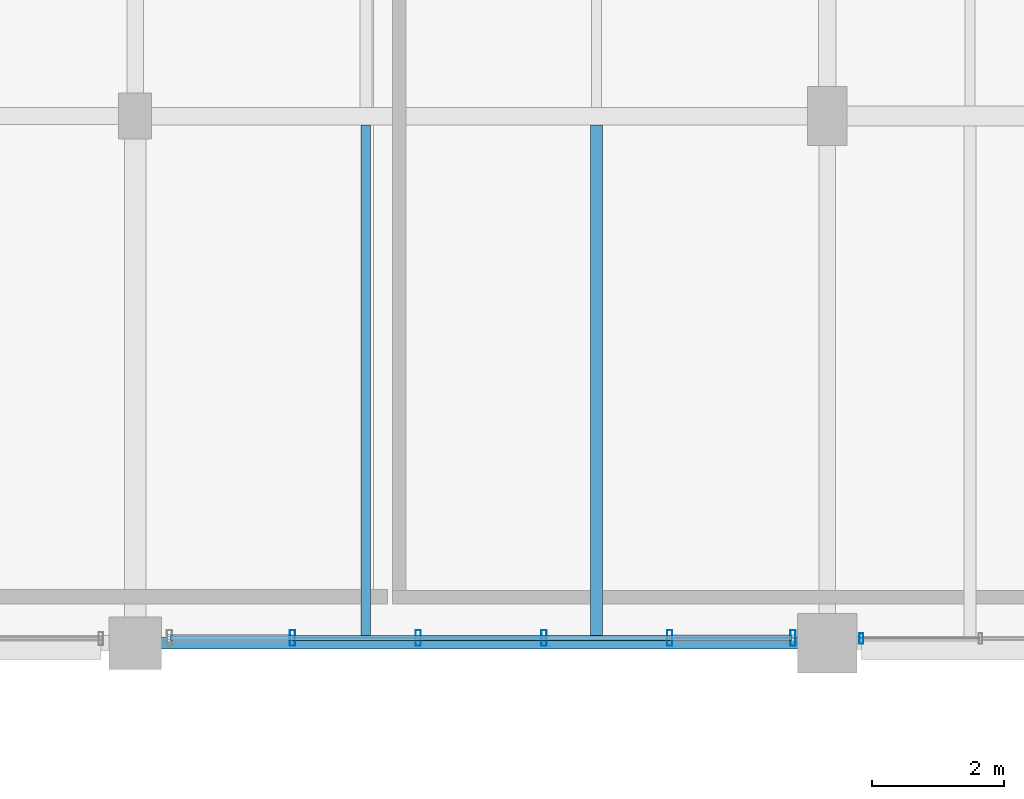
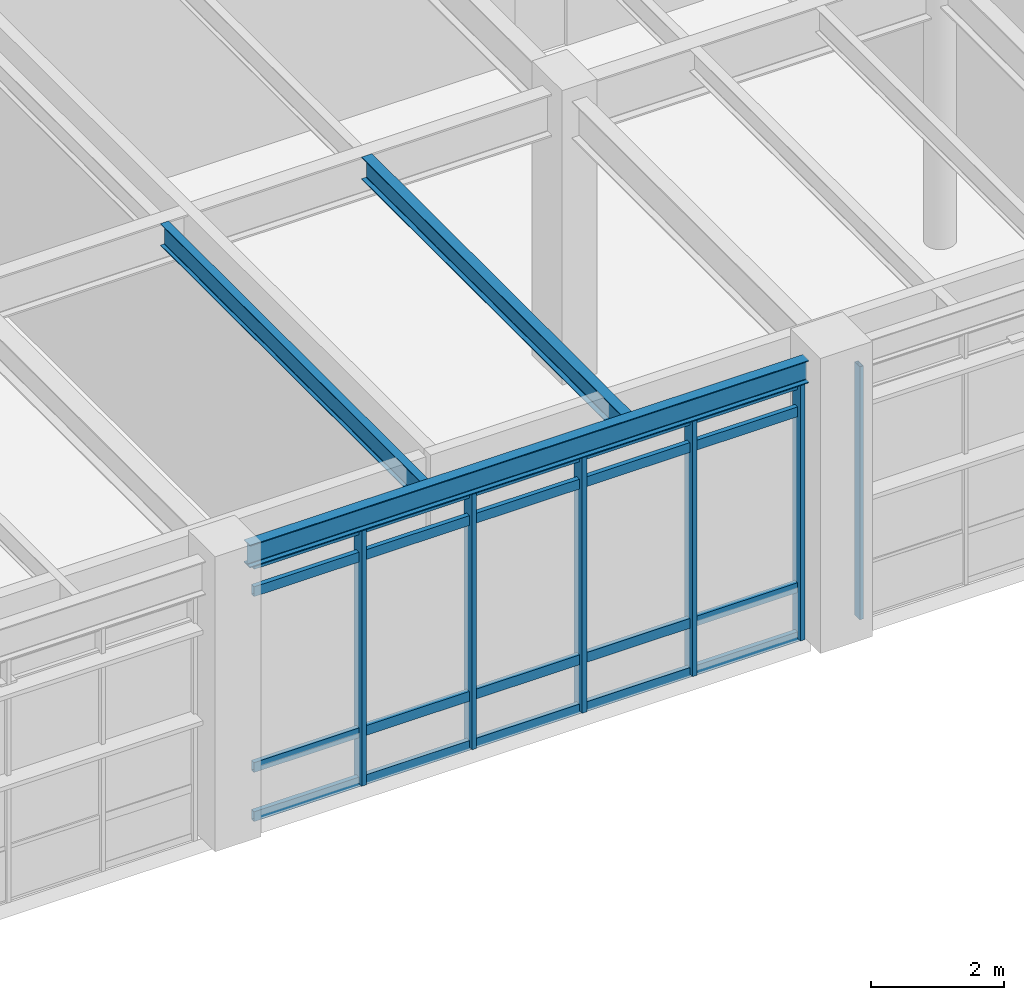
# One storey, part 66 of 203: 10 members, 3 beams, 2 elements without a shape of their own.
"""IFC4 building model written with IfcOpenShell, lengths in metres."""

from ifc_helpers import new_model, si_unit, direction, frame, origin, origin_2d, place, context, subcontext, project, spatial, hollow_rectangle, i_section, extrude, material, material_profile, profile_set, type_object, element, aggregate, save


model = new_model("IFC4")

# Units and contexts
model_context = context("Model", 3, precision=1e-05, world=origin(), true_north=direction((0.0, 1.0)))
body_context = subcontext(model_context, "Body", "Model", "MODEL_VIEW")
ifc_project = project(units=[si_unit("LENGTHUNIT", "METRE"), si_unit("AREAUNIT", "SQUARE_METRE"), si_unit("VOLUMEUNIT", "CUBIC_METRE"), si_unit("PLANEANGLEUNIT", "RADIAN"), si_unit("MASSUNIT", "GRAM", prefix="KILO"), si_unit("THERMODYNAMICTEMPERATUREUNIT", "KELVIN"), si_unit("POWERUNIT", "WATT")], contexts=[model_context])

# Site, building, storey
site_placement = place(None, origin())
site = spatial("IfcSite", under=ifc_project, at=site_placement, CompositionType="ELEMENT")
building_placement = place(site_placement, origin())
building = spatial("IfcBuilding", under=site, at=building_placement, Name="Tepalcoro Natatorium and Aquatics Centre", CompositionType="ELEMENT")
storey_placement = place(building_placement, origin())
storey = spatial("IfcBuildingStorey", under=building, at=storey_placement, Name="L00", CompositionType="ELEMENT", Elevation=0.0)

# Curtain wall, member
ifc_material_1 = material(Name="Bronze-Anodised Extruded Aluminium Alloy EN AW-6063 T6", Category="aluminium")
curtain_wall_type_1 = type_object("IfcCurtainWallType", Name="CW_V5_UPPER", PredefinedType="USERDEFINED", material=ifc_material_1)
curtain_wall_1_placement = place(storey_placement, origin())
curtain_wall_1 = element("IfcCurtainWall", 1, at=curtain_wall_1_placement, inside=storey, type_object=curtain_wall_type_1, Name="V4 L00 S Unitised Curtain Wall Bay 5", ObjectType="FACETED SOLAR GLAZING", PredefinedType="USERDEFINED")
ifc_material_profile_1 = material_profile(ifc_material_1, hollow_rectangle(XDim=0.06005859375, YDim=0.159912109375, WallThickness=0.00390625, at=origin_2d()), Name="AL60X160X4")
ifc_profile_set_1 = profile_set([ifc_material_profile_1], Name="Bronze-Anodised Extruded Aluminium Alloy EN AW-6063 T6")
member_type_1 = type_object("IfcMemberType", Name="CW_MUL_60x160", PredefinedType="MULLION", material=ifc_profile_set_1)
member_1_placement = place(storey_placement, frame((47.02001953125, 86.0712890625, 0.02001953125), z_axis=(0.0, 0.0, 1.0), x_axis=(1.0, 0.0, 0.0)))
member_1 = element("IfcMember", 2, at=member_1_placement, type_object=member_type_1, Name="CW_V5_UPPER Curtain Wall Mullion", PredefinedType="MULLION", context=body_context, shape_type="SweptSolid", body=[
    extrude(hollow_rectangle(XDim=0.06005859375, YDim=0.159912109375, WallThickness=0.00390625, at=origin_2d()), origin(), (0.0, 0.0, 1.0), 4.6298828125),
])
aggregate(curtain_wall_1, [member_1])

# Curtain wall, members
curtain_wall_type_2 = type_object("IfcCurtainWallType", Name="CW_V5_LOWER", PredefinedType="USERDEFINED", material=ifc_material_1)
curtain_wall_2_placement = place(storey_placement, origin())
curtain_wall_2 = element("IfcCurtainWall", 3, at=curtain_wall_2_placement, inside=storey, type_object=curtain_wall_type_2, Name="V4 L00 S Unitised Curtain Wall Bay 4", ObjectType="UNITISED STOREFRONT", PredefinedType="USERDEFINED")
ifc_material_profile_2 = material_profile(ifc_material_1, hollow_rectangle(XDim=0.080078125, YDim=0.239990234375, WallThickness=0.0048828125, at=origin_2d()), Name="AL80X240X5")
ifc_profile_set_2 = profile_set([ifc_material_profile_2], Name="Bronze-Anodised Extruded Aluminium Alloy EN AW-6063 T6")
member_type_2 = type_object("IfcMemberType", Name="CW_MUL_80x240", PredefinedType="MULLION", material=ifc_profile_set_2)
member_2_placement = place(storey_placement, frame((38.387939453125, 86.080078125, 0.02001953125), z_axis=(0.0, 0.0, 1.0), x_axis=(1.0, 0.0, 0.0)))
member_2 = element("IfcMember", 4, at=member_2_placement, type_object=member_type_2, Name="CW_V5_LOWER Curtain Wall Mullion", PredefinedType="MULLION", context=body_context, shape_type="SweptSolid", body=[
    extrude(hollow_rectangle(XDim=0.080078125, YDim=0.239990234375, WallThickness=0.0048828125, at=origin_2d()), origin(), (0.0, 0.0, 1.0), 4.677001953125),
])
member_3_placement = place(storey_placement, frame((40.2958984375, 86.080078125, 0.02001953125), z_axis=(0.0, 0.0, 1.0), x_axis=(1.0, 0.0, 0.0)))
member_3 = element("IfcMember", 5, at=member_3_placement, type_object=member_type_2, Name="CW_V5_LOWER Curtain Wall Mullion", PredefinedType="MULLION", context=body_context, shape_type="SweptSolid", body=[
    extrude(hollow_rectangle(XDim=0.080078125, YDim=0.239990234375, WallThickness=0.0048828125, at=origin_2d()), origin(), (0.0, 0.0, 1.0), 4.677001953125),
])
member_4_placement = place(storey_placement, frame((42.2041015625, 86.080078125, 0.02001953125), z_axis=(0.0, 0.0, 1.0), x_axis=(1.0, 0.0, 0.0)))
member_4 = element("IfcMember", 6, at=member_4_placement, type_object=member_type_2, Name="CW_V5_LOWER Curtain Wall Mullion", PredefinedType="MULLION", context=body_context, shape_type="SweptSolid", body=[
    extrude(hollow_rectangle(XDim=0.080078125, YDim=0.239990234375, WallThickness=0.0048828125, at=origin_2d()), origin(), (0.0, 0.0, 1.0), 4.677001953125),
])
member_5_placement = place(storey_placement, frame((44.112060546875, 86.080078125, 0.02001953125), z_axis=(0.0, 0.0, 1.0), x_axis=(1.0, 0.0, 0.0)))
member_5 = element("IfcMember", 7, at=member_5_placement, type_object=member_type_2, Name="CW_V5_LOWER Curtain Wall Mullion", PredefinedType="MULLION", context=body_context, shape_type="SweptSolid", body=[
    extrude(hollow_rectangle(XDim=0.080078125, YDim=0.239990234375, WallThickness=0.0048828125, at=origin_2d()), origin(), (0.0, 0.0, 1.0), 4.677001953125),
])
member_6_placement = place(storey_placement, frame((45.97998046875, 86.080078125, 0.02001953125), z_axis=(0.0, 0.0, 1.0), x_axis=(1.0, 0.0, 0.0)))
member_6 = element("IfcMember", 8, at=member_6_placement, type_object=member_type_2, Name="CW_V5_LOWER Curtain Wall Mullion", PredefinedType="MULLION", context=body_context, shape_type="SweptSolid", body=[
    extrude(hollow_rectangle(XDim=0.080078125, YDim=0.239990234375, WallThickness=0.0048828125, at=origin_2d()), origin(), (0.0, 0.0, 1.0), 4.677001953125),
])
ifc_material_profile_3 = material_profile(ifc_material_1, hollow_rectangle(XDim=0.080078125, YDim=0.179931640625, WallThickness=0.0048828125, at=origin_2d()), Name="AL80X180X5")
ifc_profile_set_3 = profile_set([ifc_material_profile_3], Name="Bronze-Anodised Extruded Aluminium Alloy EN AW-6063 T6")
member_type_3 = type_object("IfcMemberType", Name="CW_TRN_80x180", PredefinedType="USERDEFINED", material=ifc_profile_set_3)
member_7_placement = place(storey_placement, frame((36.530029296875, 86.080078125, 0.050048828125), z_axis=(1.0, 0.0, 0.0), x_axis=(0.0, 1.0, 0.0)))
member_7 = element("IfcMember", 9, at=member_7_placement, type_object=member_type_3, Name="CW_V5_LOWER Curtain Wall Transom", ObjectType="TRANSOM", PredefinedType="USERDEFINED", context=body_context, shape_type="SweptSolid", body=[
    extrude(hollow_rectangle(XDim=0.080078125, YDim=0.179931640625, WallThickness=0.0048828125, at=origin_2d()), origin(), (0.0, 0.0, 1.0), 9.43994140625),
])
member_8_placement = place(storey_placement, frame((36.530029296875, 86.080078125, 0.949951171875), z_axis=(1.0, 0.0, 0.0), x_axis=(0.0, 1.0, 0.0)))
member_8 = element("IfcMember", 10, at=member_8_placement, type_object=member_type_3, Name="CW_V5_LOWER Curtain Wall Transom", ObjectType="TRANSOM", PredefinedType="USERDEFINED", context=body_context, shape_type="SweptSolid", body=[
    extrude(hollow_rectangle(XDim=0.080078125, YDim=0.179931640625, WallThickness=0.0048828125, at=origin_2d()), origin(), (0.0, 0.0, 1.0), 9.43994140625),
])
member_9_placement = place(storey_placement, frame((36.530029296875, 86.080078125, 4.1669921875), z_axis=(1.0, 0.0, 0.0), x_axis=(0.0, 1.0, 0.0)))
member_9 = element("IfcMember", 11, at=member_9_placement, type_object=member_type_3, Name="CW_V5_LOWER Curtain Wall Transom", ObjectType="TRANSOM", PredefinedType="USERDEFINED", context=body_context, shape_type="SweptSolid", body=[
    extrude(hollow_rectangle(XDim=0.080078125, YDim=0.179931640625, WallThickness=0.0048828125, at=origin_2d()), origin(), (0.0, 0.0, 1.0), 9.43994140625),
])
member_10_placement = place(storey_placement, frame((36.530029296875, 86.080078125, 4.6669921875), z_axis=(1.0, 0.0, 0.0), x_axis=(0.0, 1.0, 0.0)))
member_10 = element("IfcMember", 12, at=member_10_placement, type_object=member_type_3, Name="CW_V5_LOWER Curtain Wall Transom", ObjectType="TRANSOM", PredefinedType="USERDEFINED", context=body_context, shape_type="SweptSolid", body=[
    extrude(hollow_rectangle(XDim=0.080078125, YDim=0.179931640625, WallThickness=0.0048828125, at=origin_2d()), origin(), (0.0, 0.0, 1.0), 9.43994140625),
])
aggregate(curtain_wall_2, [member_2, member_3, member_4, member_5, member_6, member_7, member_8, member_9, member_10])

# Beams
ifc_material_2 = material(Name="Steel ASTM A992 Grade 50 (Fy 345 MPa)", Category="steel")
ifc_material_profile_4 = material_profile(ifc_material_2, i_section(OverallWidth=0.139892578125, OverallDepth=0.404052734375, WebThickness=0.007080078125, FlangeThickness=0.010986328125, FilletRadius=0.013916015625, at=origin_2d()), Name="W16X31")
ifc_profile_set_4 = profile_set([ifc_material_profile_4], Name="Steel ASTM A992 Grade 50 (Fy 345 MPa)")
beam_type_1 = type_object("IfcBeamType", Name="JS_W16x31", PredefinedType="JOIST", material=ifc_profile_set_4)
beam_1_placement = place(storey_placement, frame((39.5, 86.090087890625, 4.943115234375), z_axis=(0.0, 1.0, 0.0), x_axis=(-1.0, 0.0, 0.0)))
element("IfcBeam", 13, at=beam_1_placement, inside=storey, type_object=beam_type_1, Name="V4 L00 Floor Joist", PredefinedType="JOIST", context=body_context, shape_type="SweptSolid", body=[
    extrude(i_section(OverallWidth=0.139892578125, OverallDepth=0.404052734375, WebThickness=0.007080078125, FlangeThickness=0.010986328125, FilletRadius=0.013916015625, at=origin_2d()), origin(), (0.0, 0.0, 1.0), 7.7763671875),
])
ifc_material_profile_5 = material_profile(ifc_material_2, i_section(OverallWidth=0.178955078125, OverallDepth=0.409912109375, WebThickness=0.009033203125, FlangeThickness=0.013916015625, FilletRadius=0.013916015625, at=origin_2d()), Name="W16X45")
ifc_profile_set_5 = profile_set([ifc_material_profile_5], Name="Steel ASTM A992 Grade 50 (Fy 345 MPa)")
beam_type_2 = type_object("IfcBeamType", Name="JS_W16x45", PredefinedType="JOIST", material=ifc_profile_set_5)
beam_2_placement = place(storey_placement, frame((43.0, 86.090087890625, 4.93994140625), z_axis=(0.0, 1.0, 0.0), x_axis=(-1.0, 0.0, 0.0)))
element("IfcBeam", 14, at=beam_2_placement, inside=storey, type_object=beam_type_2, Name="V4 L00 Floor Joist", PredefinedType="JOIST", context=body_context, shape_type="SweptSolid", body=[
    extrude(i_section(OverallWidth=0.178955078125, OverallDepth=0.409912109375, WebThickness=0.009033203125, FlangeThickness=0.013916015625, FilletRadius=0.013916015625, at=origin_2d()), origin(), (0.0, 0.0, 1.0), 7.7763671875),
])
ifc_material_profile_6 = material_profile(ifc_material_2, i_section(OverallWidth=0.179931640625, OverallDepth=0.4130859375, WebThickness=0.010009765625, FlangeThickness=0.01611328125, FilletRadius=0.013916015625, at=origin_2d()), Name="W16X50")
ifc_profile_set_6 = profile_set([ifc_material_profile_6], Name="Steel ASTM A992 Grade 50 (Fy 345 MPa)")
beam_type_3 = type_object("IfcBeamType", Name="SP_HSS300x200x12", PredefinedType="SPANDREL", material=ifc_profile_set_6)
beam_3_placement = place(storey_placement, frame((36.385009765625, 86.0, 4.9384765625), z_axis=(1.0, 0.0, 0.0), x_axis=(0.0, 1.0, 0.0)))
element("IfcBeam", 15, at=beam_3_placement, inside=storey, type_object=beam_type_3, Name="V4 L00 Grid Girder X", PredefinedType="SPANDREL", context=body_context, shape_type="SweptSolid", body=[
    extrude(i_section(OverallWidth=0.179931640625, OverallDepth=0.4130859375, WebThickness=0.010009765625, FlangeThickness=0.01611328125, FilletRadius=0.013916015625, at=origin_2d()), origin(), (0.0, 0.0, 1.0), 9.679931640625),
])

save(model, "model.ifc")
